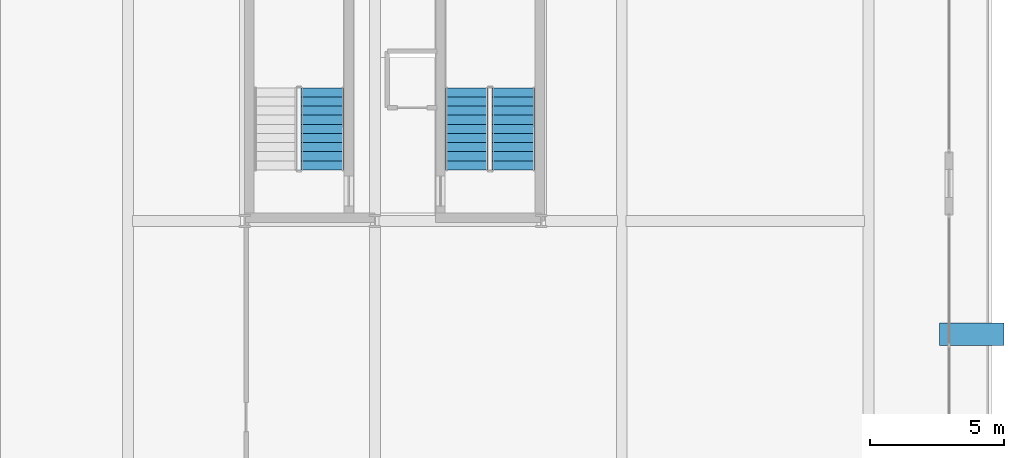
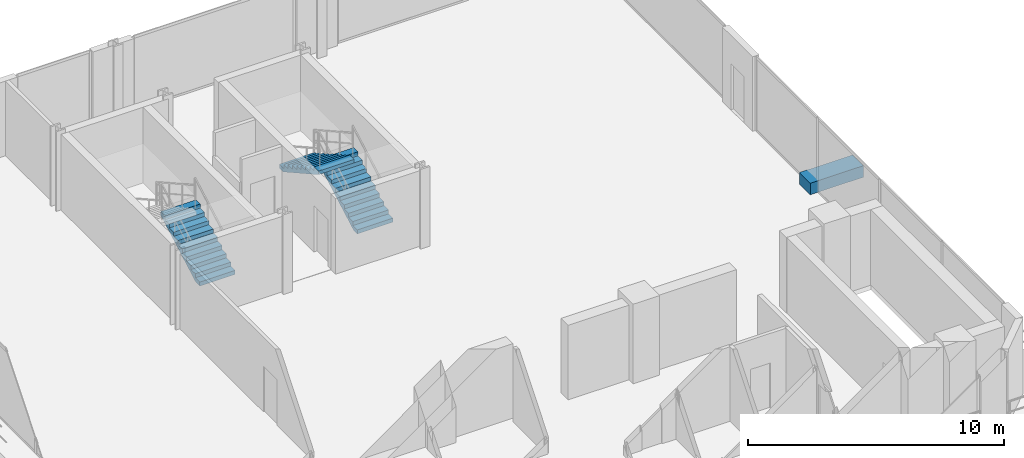
# One storey, part 23 of 26: 3 stair flights, 1 building element part, 2 elements without a shape of their own.
"""IFC4 building model written with IfcOpenShell, lengths in metres."""

from ifc_helpers import new_model, si_unit, direction, frame, origin, origin_2d, place, context, subcontext, project, spatial, polyline, rectangle, outline, extrude, material, layer, layer_set, type_object, element, aggregate, save


model = new_model("IFC4")

# Units and contexts
model_context = context("Model", 3, precision=1e-05, world=origin(), true_north=direction((0.0, 1.0)))
body_context = subcontext(model_context, "Body", "Model", "MODEL_VIEW")
ifc_project = project(units=[si_unit("LENGTHUNIT", "METRE"), si_unit("AREAUNIT", "SQUARE_METRE"), si_unit("VOLUMEUNIT", "CUBIC_METRE"), si_unit("PLANEANGLEUNIT", "RADIAN"), si_unit("MASSUNIT", "GRAM", prefix="KILO")], contexts=[model_context])

# Site, building, storey
site_placement = place(None, origin())
site = spatial("IfcSite", under=ifc_project, at=site_placement, CompositionType="ELEMENT")
building_placement = place(site_placement, origin())
building = spatial("IfcBuilding", under=site, at=building_placement, Name="Zuhayl Quay Hotel", CompositionType="ELEMENT")
storey_placement = place(building_placement, frame((0.0, 0.0, 301.050048828125)))
storey = spatial("IfcBuildingStorey", under=building, at=storey_placement, Name="Crown 2", CompositionType="ELEMENT", Elevation=301.050048828125)

# Stair, stair flight
ifc_material_1 = material(Name="Concrete C45/55", Category="concrete")
stair_type = type_object("IfcStairType", Name="ST_DOGLEG_PODIUM", PredefinedType="HALF_TURN_STAIR", material=ifc_material_1)
stair_1_placement = place(storey_placement, origin())
stair_1 = element("IfcStair", 1, at=stair_1_placement, inside=storey, type_object=stair_type, Name="Crown 2 Smokeproof Exit Stair ST5", PredefinedType="HALF_TURN_STAIR")
ifc_layer_1 = layer(ifc_material_1, 0.159912109375, Name="Concrete C45/55", Category="concrete")
ifc_layer_set_1 = layer_set([ifc_layer_1], Name="Concrete C45/55")
stair_flight_type = type_object("IfcStairFlightType", Name="SF_CONC_160", PredefinedType="STRAIGHT", material=ifc_layer_set_1)
stair_flight_1_placement = place(storey_placement, frame((-6.550048828125, 27.0, 0.0), z_axis=(0.0, 0.0, 1.0), x_axis=(0.0, 1.0, 0.0)))
stair_flight_1 = element("IfcStairFlight", 2, at=stair_flight_1_placement, type_object=stair_flight_type, Name="ST5 flight 1", NumberOfRisers=10, NumberOfTreads=9, PredefinedType="STRAIGHT", RiserHeight=0.19, TreadLength=0.34, context=body_context, shape_type="SweptSolid", body=[
    extrude(outline(polyline([(0.0, 0.0), (0.0, 0.18994140625), (0.340087890625, 0.18994140625), (0.340087890625, 0.3798828125), (0.679931640625, 0.3798828125), (0.679931640625, 0.570068359375), (1.02001953125, 0.570068359375), (1.02001953125, 0.760009765625), (1.360107421875, 0.760009765625), (1.360107421875, 0.949951171875), (1.699951171875, 0.949951171875), (1.699951171875, 1.139892578125), (2.0400390625, 1.139892578125), (2.0400390625, 1.330078125), (2.3798828125, 1.330078125), (2.3798828125, 1.52001953125), (2.719970703125, 1.52001953125), (2.719970703125, 1.7099609375), (3.06005859375, 1.7099609375), (3.06005859375, 1.89990234375), (3.06005859375, 1.538330078125), (0.307373046875, 0.0), (0.0, 0.0)])), frame((0.0, 0.800048828125, 0.0), z_axis=(0.0, -1.0, 0.0), x_axis=(1.0, 0.0, 0.0)), (0.0, 0.0, 1.0), 1.60009765625),
])
aggregate(stair_1, [stair_flight_1])

# Stair, stair flights
stair_2_placement = place(storey_placement, origin())
stair_2 = element("IfcStair", 3, at=stair_2_placement, inside=storey, type_object=stair_type, Name="Crown 2 Smokeproof Exit Stair ST6", PredefinedType="HALF_TURN_STAIR")
stair_flight_2_placement = place(storey_placement, frame((0.570068359375, 27.0, 0.0), z_axis=(0.0, 0.0, 1.0), x_axis=(0.0, 1.0, 0.0)))
stair_flight_2 = element("IfcStairFlight", 4, at=stair_flight_2_placement, type_object=stair_flight_type, Name="ST6 flight 1", NumberOfRisers=10, NumberOfTreads=9, PredefinedType="STRAIGHT", RiserHeight=0.19, TreadLength=0.34, context=body_context, shape_type="SweptSolid", body=[
    extrude(outline(polyline([(0.0, 0.0), (0.0, 0.18994140625), (0.340087890625, 0.18994140625), (0.340087890625, 0.3798828125), (0.679931640625, 0.3798828125), (0.679931640625, 0.570068359375), (1.02001953125, 0.570068359375), (1.02001953125, 0.760009765625), (1.360107421875, 0.760009765625), (1.360107421875, 0.949951171875), (1.699951171875, 0.949951171875), (1.699951171875, 1.139892578125), (2.0400390625, 1.139892578125), (2.0400390625, 1.330078125), (2.3798828125, 1.330078125), (2.3798828125, 1.52001953125), (2.719970703125, 1.52001953125), (2.719970703125, 1.7099609375), (3.06005859375, 1.7099609375), (3.06005859375, 1.89990234375), (3.06005859375, 1.538330078125), (0.307373046875, 0.0), (0.0, 0.0)])), frame((0.0, 0.800048828125, 0.0), z_axis=(0.0, -1.0, 0.0), x_axis=(1.0, 0.0, 0.0)), (0.0, 0.0, 1.0), 1.60009765625),
])
stair_flight_3_placement = place(storey_placement, frame((-1.179931640625, 30.06005859375, 1.89990234375), z_axis=(0.0, 0.0, 1.0), x_axis=(0.0, -1.0, 0.0)))
stair_flight_3 = element("IfcStairFlight", 5, at=stair_flight_3_placement, type_object=stair_flight_type, Name="ST6 flight 2", NumberOfRisers=10, NumberOfTreads=9, PredefinedType="STRAIGHT", RiserHeight=0.19, TreadLength=0.34, context=body_context, shape_type="SweptSolid", body=[
    extrude(outline(polyline([(0.0, 0.0), (0.0, 0.18994140625), (0.340087890625, 0.18994140625), (0.340087890625, 0.3798828125), (0.679931640625, 0.3798828125), (0.679931640625, 0.570068359375), (1.02001953125, 0.570068359375), (1.02001953125, 0.760009765625), (1.360107421875, 0.760009765625), (1.360107421875, 0.949951171875), (1.699951171875, 0.949951171875), (1.699951171875, 1.139892578125), (2.0400390625, 1.139892578125), (2.0400390625, 1.330078125), (2.3798828125, 1.330078125), (2.3798828125, 1.52001953125), (2.719970703125, 1.52001953125), (2.719970703125, 1.7099609375), (3.06005859375, 1.7099609375), (3.06005859375, 1.89990234375), (3.06005859375, 1.538330078125), (0.307373046875, 0.0), (0.0, 0.0)])), frame((0.0, 0.800048828125, 0.0), z_axis=(0.0, -1.0, 0.0), x_axis=(1.0, 0.0, 0.0)), (0.0, 0.0, 1.0), 1.60009765625),
])
aggregate(stair_2, [stair_flight_2, stair_flight_3])

# Building element part
ifc_material_2 = material(Name="Precast concrete C45/55", Category="concrete")
ifc_layer_2 = layer(ifc_material_2, 0.550048828125, Name="Precast concrete C45/55", Category="concrete")
ifc_layer_set_2 = layer_set([ifc_layer_2], Name="Precast concrete C45/55")
building_element_part_type = type_object("IfcBuildingElementPartType", Name="PT_PLANTER_KERB", PredefinedType="PRECASTPANEL", material=ifc_layer_set_2)
building_element_part_placement = place(storey_placement, frame((17.64501953125, 20.875, 0.0), z_axis=(0.0, 0.0, 1.0), x_axis=(1.0, 0.0, 0.0)))
element("IfcBuildingElementPart", 6, at=building_element_part_placement, inside=storey, type_object=building_element_part_type, Name="Crown 2 Stepped Crown Planter Box", PredefinedType="PRECASTPANEL", context=body_context, shape_type="SweptSolid", body=[
    extrude(rectangle(XDim=2.39990234375, YDim=0.85009765625, at=origin_2d()), origin(), (0.0, 0.0, 1.0), 0.550048828125),
])

save(model, "model.ifc")
